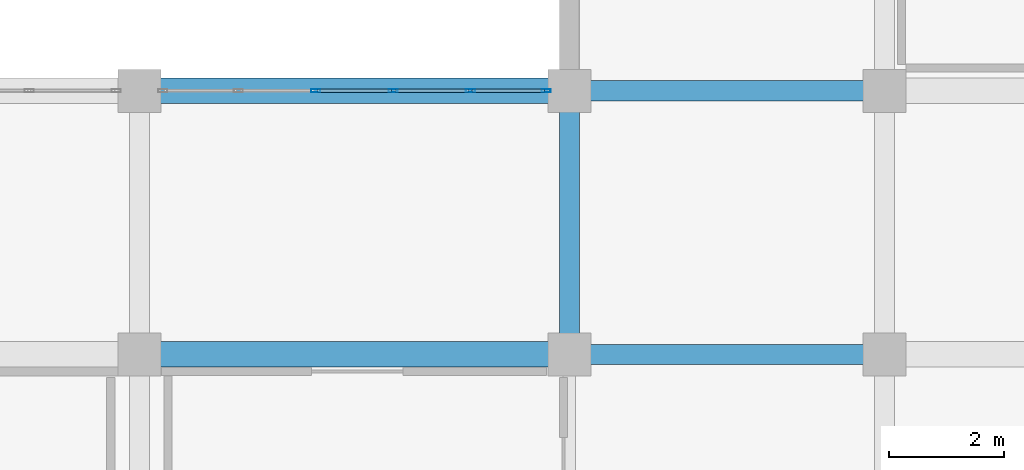
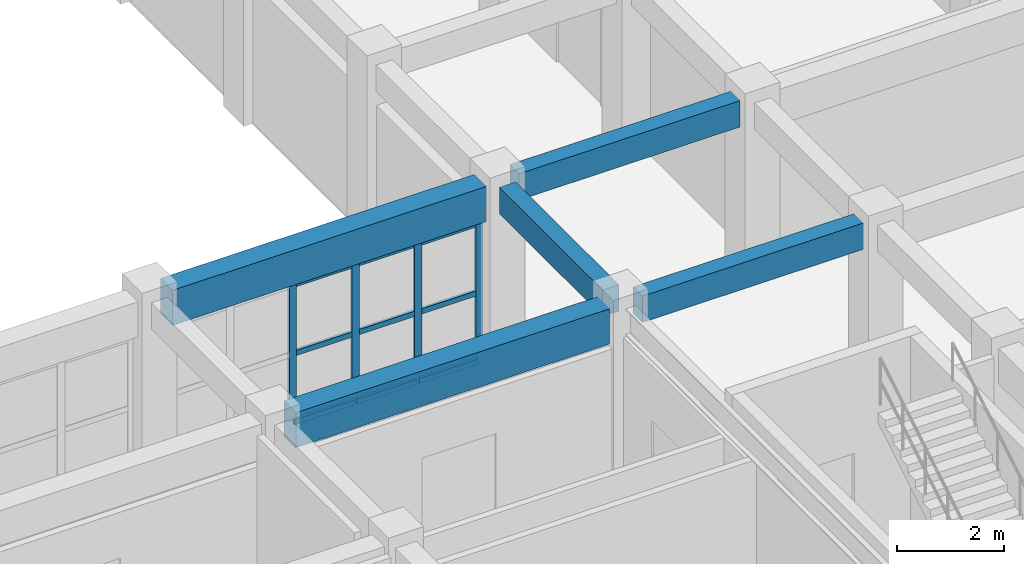
# One storey, part 53 of 116: 13 members, 5 beams, 1 element without a shape of its own.
"""IFC4 building model written with IfcOpenShell, lengths in metres."""

from ifc_helpers import new_model, si_unit, direction, frame, origin, origin_2d, place, context, subcontext, project, spatial, rectangle, hollow_rectangle, extrude, material, layer, layer_set, material_profile, profile_set, type_object, element, aggregate, save


model = new_model("IFC4")

# Units and contexts
model_context = context("Model", 3, precision=1e-05, world=origin(), true_north=direction((0.0, 1.0)))
body_context = subcontext(model_context, "Body", "Model", "MODEL_VIEW")
ifc_project = project(units=[si_unit("LENGTHUNIT", "METRE"), si_unit("AREAUNIT", "SQUARE_METRE"), si_unit("VOLUMEUNIT", "CUBIC_METRE"), si_unit("PLANEANGLEUNIT", "RADIAN"), si_unit("MASSUNIT", "GRAM", prefix="KILO")], contexts=[model_context])

# Site, building, storey
site_placement = place(None, origin())
site = spatial("IfcSite", under=ifc_project, at=site_placement, CompositionType="ELEMENT")
building_placement = place(site_placement, origin())
building = spatial("IfcBuilding", under=site, at=building_placement, Name="Muzn Square Opera House", CompositionType="ELEMENT")
storey_placement = place(building_placement, frame((0.0, 0.0, 5.39990234375)))
storey = spatial("IfcBuildingStorey", under=building, at=storey_placement, Name="L01", CompositionType="ELEMENT", Elevation=5.39990234375)

# Curtain wall, members
ifc_material_1 = material(Name="Low-E laminated acoustic double glazing", Category="glass")
ifc_layer = layer(ifc_material_1, 0.159912109375, Name="Low-E laminated acoustic double glazing", Category="glass")
ifc_layer_set = layer_set([ifc_layer], Name="Low-E laminated acoustic double glazing")
curtain_wall_type = type_object("IfcCurtainWallType", Name="Glazed Curtain Wall EastCloisterS 6750x3200", PredefinedType="USERDEFINED", material=ifc_layer_set)
curtain_wall_placement = place(storey_placement, origin())
curtain_wall = element("IfcCurtainWall", 1, at=curtain_wall_placement, inside=storey, type_object=curtain_wall_type, Name="Glazed Curtain Wall CW-L01-091", ObjectType="GLAZED CURTAIN WALL", PredefinedType="USERDEFINED")
ifc_material_2 = material(Name="Anodised bronze aluminium 6063-T6", Category="metal")
ifc_material_profile_1 = material_profile(ifc_material_2, hollow_rectangle(XDim=0.06005859375, YDim=0.159912109375, WallThickness=0.00390625, at=origin_2d()), Name="ALU 160x60x4", Category="metal")
ifc_profile_set_1 = profile_set([ifc_material_profile_1], Name="Anodised bronze aluminium 6063-T6")
member_type_1 = type_object("IfcMemberType", Name="Curtain Wall Mullion 160x60", PredefinedType="MULLION", material=ifc_profile_set_1)
member_1_placement = place(storey_placement, frame((152.574951171875, 31.199951171875, 0.0), z_axis=(0.0, 0.0, 1.0), x_axis=(0.0, 1.0, 0.0)))
member_1 = element("IfcMember", 2, at=member_1_placement, type_object=member_type_1, Name="CW-ECS-67x32 mullion 3", PredefinedType="MULLION", context=body_context, shape_type="SweptSolid", body=[
    extrude(hollow_rectangle(XDim=0.06005859375, YDim=0.159912109375, WallThickness=0.00390625, at=origin_2d()), origin(), (0.0, 0.0, 1.0), 3.2001953125),
])
member_2_placement = place(storey_placement, frame((153.925048828125, 31.199951171875, 0.0), z_axis=(0.0, 0.0, 1.0), x_axis=(0.0, 1.0, 0.0)))
member_2 = element("IfcMember", 3, at=member_2_placement, type_object=member_type_1, Name="CW-ECS-67x32 mullion 4", PredefinedType="MULLION", context=body_context, shape_type="SweptSolid", body=[
    extrude(hollow_rectangle(XDim=0.06005859375, YDim=0.159912109375, WallThickness=0.00390625, at=origin_2d()), origin(), (0.0, 0.0, 1.0), 3.2001953125),
])
member_3_placement = place(storey_placement, frame((155.27490234375, 31.199951171875, 0.0), z_axis=(0.0, 0.0, 1.0), x_axis=(0.0, 1.0, 0.0)))
member_3 = element("IfcMember", 4, at=member_3_placement, type_object=member_type_1, Name="CW-ECS-67x32 mullion 5", PredefinedType="MULLION", context=body_context, shape_type="SweptSolid", body=[
    extrude(hollow_rectangle(XDim=0.06005859375, YDim=0.159912109375, WallThickness=0.00390625, at=origin_2d()), origin(), (0.0, 0.0, 1.0), 3.2001953125),
])
member_4_placement = place(storey_placement, frame((156.594970703125, 31.199951171875, 0.0), z_axis=(0.0, 0.0, 1.0), x_axis=(0.0, 1.0, 0.0)))
member_4 = element("IfcMember", 5, at=member_4_placement, type_object=member_type_1, Name="CW-ECS-67x32 mullion 6", PredefinedType="MULLION", context=body_context, shape_type="SweptSolid", body=[
    extrude(hollow_rectangle(XDim=0.06005859375, YDim=0.159912109375, WallThickness=0.00390625, at=origin_2d()), origin(), (0.0, 0.0, 1.0), 3.2001953125),
])
ifc_material_profile_2 = material_profile(ifc_material_2, hollow_rectangle(XDim=0.06005859375, YDim=0.1201171875, WallThickness=0.00390625, at=origin_2d()), Name="ALU 120x60x4", Category="metal")
ifc_profile_set_2 = profile_set([ifc_material_profile_2], Name="Anodised bronze aluminium 6063-T6")
member_type_2 = type_object("IfcMemberType", Name="Curtain Wall Transom 120x60", PredefinedType="USERDEFINED", material=ifc_profile_set_2)
member_5_placement = place(storey_placement, frame((152.60498046875, 31.199951171875, 0.030029296875), z_axis=(1.0, 0.0, 0.0), x_axis=(0.0, 1.0, 0.0)))
member_5 = element("IfcMember", 6, at=member_5_placement, type_object=member_type_2, Name="CW-ECS-67x32 transom 3.1", ObjectType="TRANSOM", PredefinedType="USERDEFINED", context=body_context, shape_type="SweptSolid", body=[
    extrude(hollow_rectangle(XDim=0.06005859375, YDim=0.1201171875, WallThickness=0.00390625, at=origin_2d()), origin(), (0.0, 0.0, 1.0), 1.2900390625),
])
member_6_placement = place(storey_placement, frame((152.60498046875, 31.199951171875, 1.60009765625), z_axis=(1.0, 0.0, 0.0), x_axis=(0.0, 1.0, 0.0)))
member_6 = element("IfcMember", 7, at=member_6_placement, type_object=member_type_2, Name="CW-ECS-67x32 transom 3.2", ObjectType="TRANSOM", PredefinedType="USERDEFINED", context=body_context, shape_type="SweptSolid", body=[
    extrude(hollow_rectangle(XDim=0.06005859375, YDim=0.1201171875, WallThickness=0.00390625, at=origin_2d()), origin(), (0.0, 0.0, 1.0), 1.2900390625),
])
member_7_placement = place(storey_placement, frame((152.60498046875, 31.199951171875, 3.170166015625), z_axis=(1.0, 0.0, 0.0), x_axis=(0.0, 1.0, 0.0)))
member_7 = element("IfcMember", 8, at=member_7_placement, type_object=member_type_2, Name="CW-ECS-67x32 transom 3.3", ObjectType="TRANSOM", PredefinedType="USERDEFINED", context=body_context, shape_type="SweptSolid", body=[
    extrude(hollow_rectangle(XDim=0.06005859375, YDim=0.1201171875, WallThickness=0.00390625, at=origin_2d()), origin(), (0.0, 0.0, 1.0), 1.2900390625),
])
member_8_placement = place(storey_placement, frame((153.955078125, 31.199951171875, 0.030029296875), z_axis=(1.0, 0.0, 0.0), x_axis=(0.0, 1.0, 0.0)))
member_8 = element("IfcMember", 9, at=member_8_placement, type_object=member_type_2, Name="CW-ECS-67x32 transom 4.1", ObjectType="TRANSOM", PredefinedType="USERDEFINED", context=body_context, shape_type="SweptSolid", body=[
    extrude(hollow_rectangle(XDim=0.06005859375, YDim=0.1201171875, WallThickness=0.00390625, at=origin_2d()), origin(), (0.0, 0.0, 1.0), 1.2900390625),
])
member_9_placement = place(storey_placement, frame((153.955078125, 31.199951171875, 1.60009765625), z_axis=(1.0, 0.0, 0.0), x_axis=(0.0, 1.0, 0.0)))
member_9 = element("IfcMember", 10, at=member_9_placement, type_object=member_type_2, Name="CW-ECS-67x32 transom 4.2", ObjectType="TRANSOM", PredefinedType="USERDEFINED", context=body_context, shape_type="SweptSolid", body=[
    extrude(hollow_rectangle(XDim=0.06005859375, YDim=0.1201171875, WallThickness=0.00390625, at=origin_2d()), origin(), (0.0, 0.0, 1.0), 1.2900390625),
])
member_10_placement = place(storey_placement, frame((153.955078125, 31.199951171875, 3.170166015625), z_axis=(1.0, 0.0, 0.0), x_axis=(0.0, 1.0, 0.0)))
member_10 = element("IfcMember", 11, at=member_10_placement, type_object=member_type_2, Name="CW-ECS-67x32 transom 4.3", ObjectType="TRANSOM", PredefinedType="USERDEFINED", context=body_context, shape_type="SweptSolid", body=[
    extrude(hollow_rectangle(XDim=0.06005859375, YDim=0.1201171875, WallThickness=0.00390625, at=origin_2d()), origin(), (0.0, 0.0, 1.0), 1.2900390625),
])
member_11_placement = place(storey_placement, frame((155.304931640625, 31.199951171875, 0.030029296875), z_axis=(1.0, 0.0, 0.0), x_axis=(0.0, 1.0, 0.0)))
member_11 = element("IfcMember", 12, at=member_11_placement, type_object=member_type_2, Name="CW-ECS-67x32 transom 5.1", ObjectType="TRANSOM", PredefinedType="USERDEFINED", context=body_context, shape_type="SweptSolid", body=[
    extrude(hollow_rectangle(XDim=0.06005859375, YDim=0.1201171875, WallThickness=0.00390625, at=origin_2d()), origin(), (0.0, 0.0, 1.0), 1.260009765625),
])
member_12_placement = place(storey_placement, frame((155.304931640625, 31.199951171875, 1.60009765625), z_axis=(1.0, 0.0, 0.0), x_axis=(0.0, 1.0, 0.0)))
member_12 = element("IfcMember", 13, at=member_12_placement, type_object=member_type_2, Name="CW-ECS-67x32 transom 5.2", ObjectType="TRANSOM", PredefinedType="USERDEFINED", context=body_context, shape_type="SweptSolid", body=[
    extrude(hollow_rectangle(XDim=0.06005859375, YDim=0.1201171875, WallThickness=0.00390625, at=origin_2d()), origin(), (0.0, 0.0, 1.0), 1.260009765625),
])
member_13_placement = place(storey_placement, frame((155.304931640625, 31.199951171875, 3.170166015625), z_axis=(1.0, 0.0, 0.0), x_axis=(0.0, 1.0, 0.0)))
member_13 = element("IfcMember", 14, at=member_13_placement, type_object=member_type_2, Name="CW-ECS-67x32 transom 5.3", ObjectType="TRANSOM", PredefinedType="USERDEFINED", context=body_context, shape_type="SweptSolid", body=[
    extrude(hollow_rectangle(XDim=0.06005859375, YDim=0.1201171875, WallThickness=0.00390625, at=origin_2d()), origin(), (0.0, 0.0, 1.0), 1.260009765625),
])
aggregate(curtain_wall, [member_1, member_2, member_3, member_4, member_5, member_6, member_7, member_8, member_9, member_10, member_11, member_12, member_13])

# Beams
ifc_material_3 = material(Name="Concrete C40/50", Category="concrete")
ifc_material_profile_3 = material_profile(ifc_material_3, rectangle(XDim=0.35009765625, YDim=0.60009765625, at=origin_2d()), Name="RCB 350x600", Category="concrete")
ifc_profile_set_3 = profile_set([ifc_material_profile_3], Name="Concrete C40/50")
beam_type_1 = type_object("IfcBeamType", Name="Primary Girder 350x600", PredefinedType="BEAM", material=ifc_profile_set_3)
for number, where, z_axis, x_axis, name in (
    (15, (157.366943359375, 26.60009765625, 3.820068359375), (1.0, 0.0, 0.0), (0.0, 1.0, 0.0), "Primary Girder BM-L01-BM-PG600-1574_266_1621_266-1309"),
    (16, (157.366943359375, 31.199951171875, 3.820068359375), (1.0, 0.0, 0.0), (0.0, 1.0, 0.0), "Primary Girder BM-L01-BM-PG600-1574_312_1621_312-1330"),
):
    element("IfcBeam", number, at=place(storey_placement, frame(where, z_axis=z_axis, x_axis=x_axis)), inside=storey, type_object=beam_type_1, Name=name, PredefinedType="BEAM", context=body_context, shape_type="SweptSolid", body=[
        extrude(rectangle(XDim=0.35009765625, YDim=0.60009765625, at=origin_2d()), origin(), (0.0, 0.0, 1.0), 4.76611328125),
    ])
beam_placement = place(storey_placement, frame((157.0, 26.967041015625, 3.820068359375), z_axis=(0.0, 1.0, 0.0), x_axis=(-1.0, 0.0, 0.0)))
element("IfcBeam", 17, at=beam_placement, inside=storey, type_object=beam_type_1, Name="Primary Girder BM-L01-BM-PG600-1570_270_1570_308-1739", PredefinedType="BEAM", context=body_context, shape_type="SweptSolid", body=[
    extrude(rectangle(XDim=0.35009765625, YDim=0.60009765625, at=origin_2d()), origin(), (0.0, 0.0, 1.0), 3.865966796875),
])
ifc_material_profile_4 = material_profile(ifc_material_3, rectangle(XDim=0.449951171875, YDim=0.800048828125, at=origin_2d()), Name="RCB 450x800", Category="concrete")
ifc_profile_set_4 = profile_set([ifc_material_profile_4], Name="Concrete C40/50")
beam_type_2 = type_object("IfcBeamType", Name="Primary Girder 450x800", PredefinedType="BEAM", material=ifc_profile_set_4)
for number, where, z_axis, x_axis, name in (
    (18, (149.866943359375, 26.60009765625, 3.72021484375), (1.0, 0.0, 0.0), (0.0, 1.0, 0.0), "Primary Girder BM-L01-BM-PG800-1499_266_1566_266-1308"),
    (19, (149.866943359375, 31.199951171875, 3.72021484375), (1.0, 0.0, 0.0), (0.0, 1.0, 0.0), "Primary Girder BM-L01-BM-PG800-1499_312_1566_312-1329"),
):
    element("IfcBeam", number, at=place(storey_placement, frame(where, z_axis=z_axis, x_axis=x_axis)), inside=storey, type_object=beam_type_2, Name=name, PredefinedType="BEAM", context=body_context, shape_type="SweptSolid", body=[
        extrude(rectangle(XDim=0.449951171875, YDim=0.800048828125, at=origin_2d()), origin(), (0.0, 0.0, 1.0), 6.76611328125),
    ])

save(model, "model.ifc")
